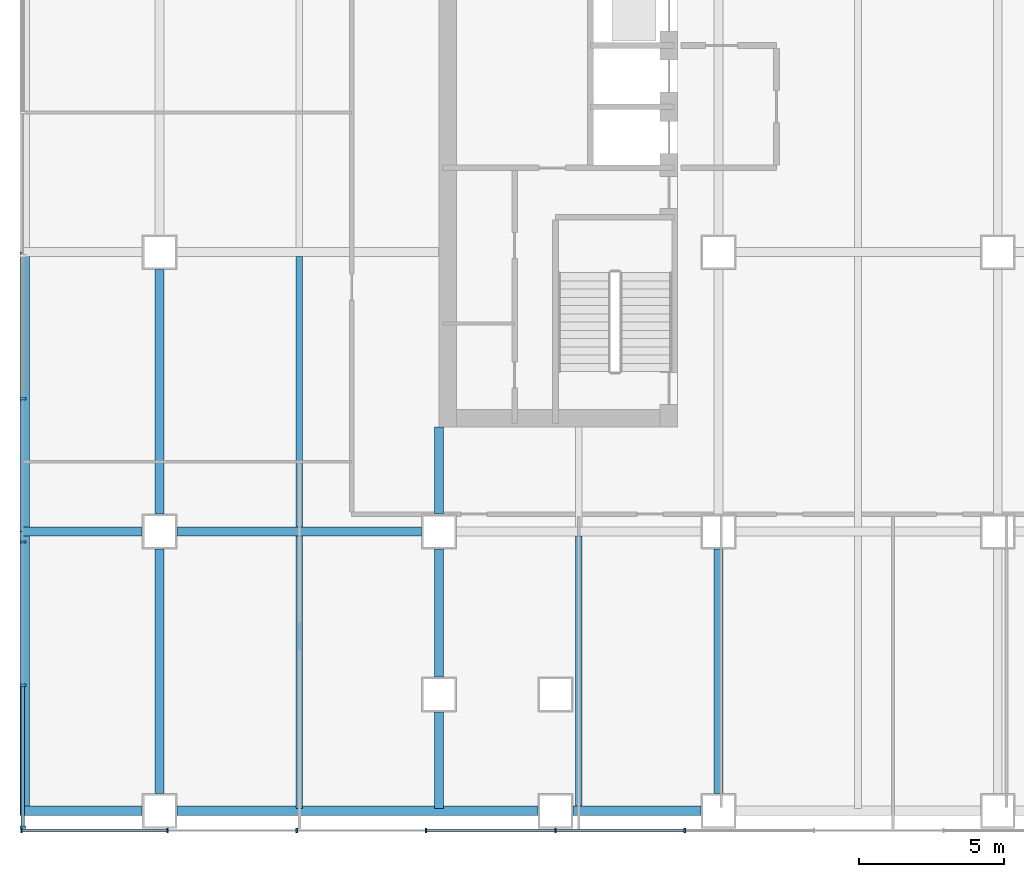
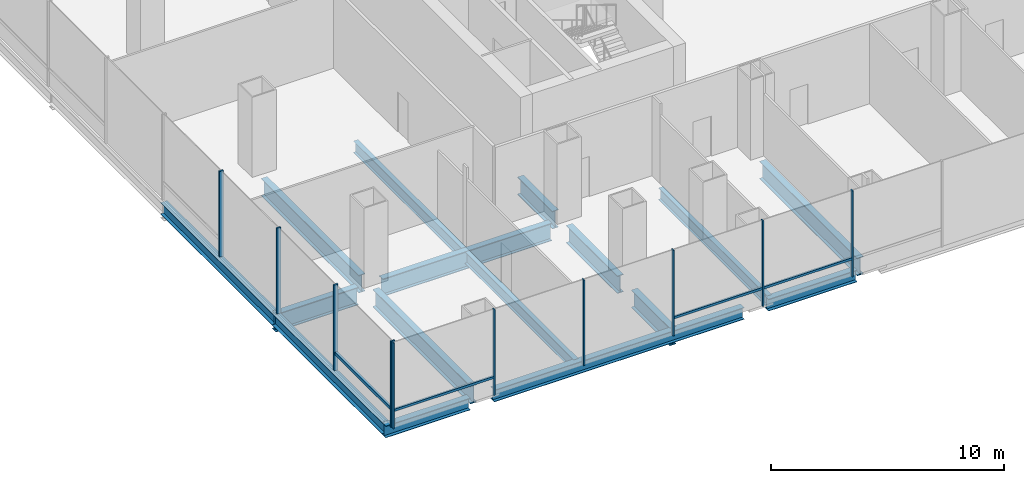
# One storey, part 2 of 23: 16 beams, 14 members, 2 elements without a shape of their own.
"""IFC4 building model written with IfcOpenShell, lengths in metres."""

from ifc_helpers import new_model, si_unit, direction, frame, origin, origin_2d, place, context, subcontext, project, spatial, rectangle, i_section, extrude, material, material_profile, profile_set, type_object, element, aggregate, save


model = new_model("IFC4")

# Units and contexts
model_context = context("Model", 3, precision=1e-05, world=origin(), true_north=direction((0.0, 1.0)))
body_context = subcontext(model_context, "Body", "Model", "MODEL_VIEW")
ifc_project = project(units=[si_unit("LENGTHUNIT", "METRE"), si_unit("AREAUNIT", "SQUARE_METRE"), si_unit("VOLUMEUNIT", "CUBIC_METRE"), si_unit("PLANEANGLEUNIT", "RADIAN"), si_unit("MASSUNIT", "GRAM", prefix="KILO")], contexts=[model_context])

# Site, building, storey
site_placement = place(None, origin())
site = spatial("IfcSite", under=ifc_project, at=site_placement, CompositionType="ELEMENT")
building_placement = place(site_placement, origin())
building = spatial("IfcBuilding", under=site, at=building_placement, Name="Cobrizo Arcos Hotel Tower", CompositionType="ELEMENT")
storey_placement = place(building_placement, frame((0.0, 0.0, 29.0)))
storey = spatial("IfcBuildingStorey", under=building, at=storey_placement, Name="L05", CompositionType="ELEMENT", Elevation=29.0)

# Curtain wall, members
ifc_material_1 = material(Name="Aluminium 6063-T6 anodised bronze", Category="aluminium")
curtain_wall_type_1 = type_object("IfcCurtainWallType", Name="CW-A guest facade", PredefinedType="NOTDEFINED", material=ifc_material_1)
curtain_wall_1_placement = place(storey_placement, origin())
curtain_wall_1 = element("IfcCurtainWall", 1, at=curtain_wall_1_placement, inside=storey, type_object=curtain_wall_type_1, Name="CW-A L05 S face", PredefinedType="NOTDEFINED")
ifc_material_profile_1 = material_profile(ifc_material_1, rectangle(XDim=0.14990234375, YDim=0.06005859375, at=origin_2d()), Name="CW-A mullion 150x60")
ifc_profile_set_1 = profile_set([ifc_material_profile_1], Name="Aluminium 6063-T6 anodised bronze")
member_type_1 = type_object("IfcMemberType", Name="CW-A mullion 150x60", PredefinedType="MULLION", material=ifc_profile_set_1)
member_1_placement = place(storey_placement, frame((-38.344970703125, -24.675048828125, 0.0), z_axis=(0.0, 0.0, 1.0), x_axis=(0.0, -1.0, 0.0)))
member_1 = element("IfcMember", 2, at=member_1_placement, type_object=member_type_1, Name="CW-A mullion 1", PredefinedType="MULLION", context=body_context, shape_type="SweptSolid", body=[
    extrude(rectangle(XDim=0.14990234375, YDim=0.06005859375, at=origin_2d()), origin(), (0.0, 0.0, 1.0), 4.5),
])
member_2_placement = place(storey_placement, frame((-33.333251953125, -24.675048828125, 0.0), z_axis=(0.0, 0.0, 1.0), x_axis=(0.0, -1.0, 0.0)))
member_2 = element("IfcMember", 3, at=member_2_placement, type_object=member_type_1, Name="CW-A mullion 2", PredefinedType="MULLION", context=body_context, shape_type="SweptSolid", body=[
    extrude(rectangle(XDim=0.14990234375, YDim=0.06005859375, at=origin_2d()), origin(), (0.0, 0.0, 1.0), 4.5),
])
member_3_placement = place(storey_placement, frame((-28.888916015625, -24.675048828125, 0.0), z_axis=(0.0, 0.0, 1.0), x_axis=(0.0, -1.0, 0.0)))
member_3 = element("IfcMember", 4, at=member_3_placement, type_object=member_type_1, Name="CW-A mullion 3", PredefinedType="MULLION", context=body_context, shape_type="SweptSolid", body=[
    extrude(rectangle(XDim=0.14990234375, YDim=0.06005859375, at=origin_2d()), origin(), (0.0, 0.0, 1.0), 4.5),
])
member_4_placement = place(storey_placement, frame((-24.4443359375, -24.675048828125, 0.0), z_axis=(0.0, 0.0, 1.0), x_axis=(0.0, -1.0, 0.0)))
member_4 = element("IfcMember", 5, at=member_4_placement, type_object=member_type_1, Name="CW-A mullion 4", PredefinedType="MULLION", context=body_context, shape_type="SweptSolid", body=[
    extrude(rectangle(XDim=0.14990234375, YDim=0.06005859375, at=origin_2d()), origin(), (0.0, 0.0, 1.0), 4.5),
])
member_5_placement = place(storey_placement, frame((-20.0, -24.675048828125, 0.0), z_axis=(0.0, 0.0, 1.0), x_axis=(0.0, -1.0, 0.0)))
member_5 = element("IfcMember", 6, at=member_5_placement, type_object=member_type_1, Name="CW-A mullion 5", PredefinedType="MULLION", context=body_context, shape_type="SweptSolid", body=[
    extrude(rectangle(XDim=0.14990234375, YDim=0.06005859375, at=origin_2d()), origin(), (0.0, 0.0, 1.0), 4.5),
])
member_6_placement = place(storey_placement, frame((-15.5556640625, -24.675048828125, 0.0), z_axis=(0.0, 0.0, 1.0), x_axis=(0.0, -1.0, 0.0)))
member_6 = element("IfcMember", 7, at=member_6_placement, type_object=member_type_1, Name="CW-A mullion 6", PredefinedType="MULLION", context=body_context, shape_type="SweptSolid", body=[
    extrude(rectangle(XDim=0.14990234375, YDim=0.06005859375, at=origin_2d()), origin(), (0.0, 0.0, 1.0), 4.5),
])
ifc_material_profile_2 = material_profile(ifc_material_1, rectangle(XDim=0.10009765625, YDim=0.1201171875, at=origin_2d()), Name="CW-A transom 120x100")
ifc_profile_set_2 = profile_set([ifc_material_profile_2], Name="Aluminium 6063-T6 anodised bronze")
member_type_2 = type_object("IfcMemberType", Name="CW-A transom 120x100", PredefinedType="USERDEFINED", material=ifc_profile_set_2)
member_7_placement = place(storey_placement, frame((-38.31494140625, -24.675048828125, 0.929931640625), z_axis=(1.0, 0.0, 0.0), x_axis=(0.0, 1.0, 0.0)))
member_7 = element("IfcMember", 8, at=member_7_placement, type_object=member_type_2, Name="CW-A transom 306", ObjectType="TRANSOM", PredefinedType="USERDEFINED", context=body_context, shape_type="SweptSolid", body=[
    extrude(rectangle(XDim=0.10009765625, YDim=0.1201171875, at=origin_2d()), origin(), (0.0, 0.0, 1.0), 4.95166015625),
])
member_8_placement = place(storey_placement, frame((-24.41455078125, -24.675048828125, 0.929931640625), z_axis=(1.0, 0.0, 0.0), x_axis=(0.0, 1.0, 0.0)))
member_8 = element("IfcMember", 9, at=member_8_placement, type_object=member_type_2, Name="CW-A transom 309", ObjectType="TRANSOM", PredefinedType="USERDEFINED", context=body_context, shape_type="SweptSolid", body=[
    extrude(rectangle(XDim=0.10009765625, YDim=0.1201171875, at=origin_2d()), origin(), (0.0, 0.0, 1.0), 4.384521484375),
])
member_9_placement = place(storey_placement, frame((-19.969970703125, -24.675048828125, 0.929931640625), z_axis=(1.0, 0.0, 0.0), x_axis=(0.0, 1.0, 0.0)))
member_9 = element("IfcMember", 10, at=member_9_placement, type_object=member_type_2, Name="CW-A transom 310", ObjectType="TRANSOM", PredefinedType="USERDEFINED", context=body_context, shape_type="SweptSolid", body=[
    extrude(rectangle(XDim=0.10009765625, YDim=0.1201171875, at=origin_2d()), origin(), (0.0, 0.0, 1.0), 4.384521484375),
])
aggregate(curtain_wall_1, [member_1, member_2, member_3, member_4, member_5, member_6, member_7, member_8, member_9])

curtain_wall_type_2 = type_object("IfcCurtainWallType", Name="CW-B podium glazing", PredefinedType="NOTDEFINED", material=ifc_material_1)
curtain_wall_2_placement = place(storey_placement, origin())
curtain_wall_2 = element("IfcCurtainWall", 11, at=curtain_wall_2_placement, inside=storey, type_object=curtain_wall_type_2, Name="CW-B L05 W face", PredefinedType="NOTDEFINED")
ifc_material_profile_3 = material_profile(ifc_material_1, rectangle(XDim=0.199951171875, YDim=0.080078125, at=origin_2d()), Name="CW-B mullion 200x80")
ifc_profile_set_3 = profile_set([ifc_material_profile_3], Name="Aluminium 6063-T6 anodised bronze")
member_type_3 = type_object("IfcMemberType", Name="CW-B mullion 200x80", PredefinedType="MULLION", material=ifc_profile_set_3)
member_10_placement = place(storey_placement, frame((-38.300048828125, -9.840087890625, 0.0), z_axis=(0.0, 0.0, 1.0), x_axis=(-1.0, 0.0, 0.0)))
member_10 = element("IfcMember", 12, at=member_10_placement, type_object=member_type_3, Name="CW-B mullion 8", PredefinedType="MULLION", context=body_context, shape_type="SweptSolid", body=[
    extrude(rectangle(XDim=0.199951171875, YDim=0.080078125, at=origin_2d()), origin(), (0.0, 0.0, 1.0), 4.5),
])
member_11_placement = place(storey_placement, frame((-38.300048828125, -14.760009765625, 0.0), z_axis=(0.0, 0.0, 1.0), x_axis=(-1.0, 0.0, 0.0)))
member_11 = element("IfcMember", 13, at=member_11_placement, type_object=member_type_3, Name="CW-B mullion 9", PredefinedType="MULLION", context=body_context, shape_type="SweptSolid", body=[
    extrude(rectangle(XDim=0.199951171875, YDim=0.080078125, at=origin_2d()), origin(), (0.0, 0.0, 1.0), 4.5),
])
member_12_placement = place(storey_placement, frame((-38.300048828125, -19.679931640625, 0.0), z_axis=(0.0, 0.0, 1.0), x_axis=(-1.0, 0.0, 0.0)))
member_12 = element("IfcMember", 14, at=member_12_placement, type_object=member_type_3, Name="CW-B mullion 10", PredefinedType="MULLION", context=body_context, shape_type="SweptSolid", body=[
    extrude(rectangle(XDim=0.199951171875, YDim=0.080078125, at=origin_2d()), origin(), (0.0, 0.0, 1.0), 4.5),
])
member_13_placement = place(storey_placement, frame((-38.300048828125, -24.56005859375, 0.0), z_axis=(0.0, 0.0, 1.0), x_axis=(-1.0, 0.0, 0.0)))
member_13 = element("IfcMember", 15, at=member_13_placement, type_object=member_type_3, Name="CW-B mullion 11", PredefinedType="MULLION", context=body_context, shape_type="SweptSolid", body=[
    extrude(rectangle(XDim=0.199951171875, YDim=0.080078125, at=origin_2d()), origin(), (0.0, 0.0, 1.0), 4.5),
])
ifc_material_profile_4 = material_profile(ifc_material_1, rectangle(XDim=0.1201171875, YDim=0.159912109375, at=origin_2d()), Name="CW-B transom 160x120")
ifc_profile_set_4 = profile_set([ifc_material_profile_4], Name="Aluminium 6063-T6 anodised bronze")
member_type_4 = type_object("IfcMemberType", Name="CW-B transom 160x120", PredefinedType="USERDEFINED", material=ifc_profile_set_4)
member_14_placement = place(storey_placement, frame((-38.300048828125, -19.719970703125, 0.89990234375), z_axis=(0.0, -1.0, 0.0), x_axis=(1.0, 0.0, 0.0)))
member_14 = element("IfcMember", 16, at=member_14_placement, type_object=member_type_4, Name="CW-B transom 305", ObjectType="TRANSOM", PredefinedType="USERDEFINED", context=body_context, shape_type="SweptSolid", body=[
    extrude(rectangle(XDim=0.1201171875, YDim=0.159912109375, at=origin_2d()), origin(), (0.0, 0.0, 1.0), 4.800048828125),
])
aggregate(curtain_wall_2, [member_10, member_11, member_12, member_13, member_14])

# Beams
ifc_material_2 = material(Name="Steel ASTM A992 Grade 50", Category="steel")
ifc_material_profile_5 = material_profile(ifc_material_2, i_section(OverallWidth=0.32763671875, OverallDepth=0.622314453125, WebThickness=0.015380859375, FlangeThickness=0.0244140625, at=origin_2d()), Name="W24X131")
ifc_profile_set_5 = profile_set([ifc_material_profile_5], Name="Steel ASTM A992 Grade 50")
beam_type_1 = type_object("IfcBeamType", Name="W24X131 edge beam", PredefinedType="BEAM", material=ifc_profile_set_5)
beam_1_placement = place(storey_placement, frame((-38.236083984375, -4.800048828125, -0.51123046875), z_axis=(0.0, -1.0, 0.0), x_axis=(1.0, 0.0, 0.0)))
element("IfcBeam", 17, at=beam_1_placement, inside=storey, type_object=beam_type_1, Name="Edge beam EB1, L05, no. 011", PredefinedType="BEAM", context=body_context, shape_type="SweptSolid", body=[
    extrude(i_section(OverallWidth=0.32763671875, OverallDepth=0.622314453125, WebThickness=0.015380859375, FlangeThickness=0.0244140625, at=origin_2d()), origin(), (0.0, 0.0, 1.0), 9.599853515625),
])
beam_2_placement = place(storey_placement, frame((-38.236083984375, -14.39990234375, -0.51123046875), z_axis=(0.0, -1.0, 0.0), x_axis=(1.0, 0.0, 0.0)))
element("IfcBeam", 18, at=beam_2_placement, inside=storey, type_object=beam_type_1, Name="Edge beam EB1, L05, no. 012", PredefinedType="BEAM", context=body_context, shape_type="SweptSolid", body=[
    extrude(i_section(OverallWidth=0.32763671875, OverallDepth=0.622314453125, WebThickness=0.015380859375, FlangeThickness=0.0244140625, at=origin_2d()), origin(), (0.0, 0.0, 1.0), 9.60009765625),
])
beam_3_placement = place(storey_placement, frame((-38.39990234375, -24.0, -0.51123046875), z_axis=(1.0, 0.0, 0.0), x_axis=(0.0, 1.0, 0.0)))
element("IfcBeam", 19, at=beam_3_placement, inside=storey, type_object=beam_type_1, Name="Edge beam EB1, L05, no. 013", PredefinedType="BEAM", context=body_context, shape_type="SweptSolid", body=[
    extrude(i_section(OverallWidth=0.32763671875, OverallDepth=0.622314453125, WebThickness=0.015380859375, FlangeThickness=0.0244140625, at=origin_2d()), origin(), (0.0, 0.0, 1.0), 4.199951171875),
])
ifc_material_profile_6 = material_profile(ifc_material_2, i_section(OverallWidth=0.32763671875, OverallDepth=0.622314453125, WebThickness=0.015380859375, FlangeThickness=0.0244140625, at=origin_2d()), Name="W24X131")
ifc_profile_set_6 = profile_set([ifc_material_profile_6], Name="Steel ASTM A992 Grade 50")
beam_type_2 = type_object("IfcBeamType", Name="W24X131 spandrel", PredefinedType="SPANDREL", material=ifc_profile_set_6)
beam_4_placement = place(storey_placement, frame((-33.0, -24.0, -0.51123046875), z_axis=(1.0, 0.0, 0.0), x_axis=(0.0, 1.0, 0.0)))
element("IfcBeam", 20, at=beam_4_placement, inside=storey, type_object=beam_type_2, Name="Spandrel beam W24X131, L05, no. 008", PredefinedType="SPANDREL", context=body_context, shape_type="SweptSolid", body=[
    extrude(i_section(OverallWidth=0.32763671875, OverallDepth=0.622314453125, WebThickness=0.015380859375, FlangeThickness=0.0244140625, at=origin_2d()), origin(), (0.0, 0.0, 1.0), 12.39990234375),
])
beam_5_placement = place(storey_placement, frame((-19.39990234375, -24.0, -0.51123046875), z_axis=(1.0, 0.0, 0.0), x_axis=(0.0, 1.0, 0.0)))
element("IfcBeam", 21, at=beam_5_placement, inside=storey, type_object=beam_type_2, Name="Spandrel beam W24X131, L05, no. 009", PredefinedType="SPANDREL", context=body_context, shape_type="SweptSolid", body=[
    extrude(i_section(OverallWidth=0.32763671875, OverallDepth=0.622314453125, WebThickness=0.015380859375, FlangeThickness=0.0244140625, at=origin_2d()), origin(), (0.0, 0.0, 1.0), 4.39990234375),
])
ifc_material_profile_7 = material_profile(ifc_material_2, i_section(OverallWidth=0.23046875, OverallDepth=0.6171875, WebThickness=0.01318359375, FlangeThickness=0.022216796875, at=origin_2d()), Name="W24X94")
ifc_profile_set_7 = profile_set([ifc_material_profile_7], Name="Steel ASTM A992 Grade 50")
beam_type_3 = type_object("IfcBeamType", Name="W24X94 podium joist", PredefinedType="JOIST", material=ifc_profile_set_7)
beam_6_placement = place(storey_placement, frame((-28.800048828125, -23.909912109375, -0.508544921875), z_axis=(0.0, 1.0, 0.0), x_axis=(-1.0, 0.0, 0.0)))
element("IfcBeam", 22, at=beam_6_placement, inside=storey, type_object=beam_type_3, Name="Podium joist PJ1, L05, no. 001", PredefinedType="JOIST", context=body_context, shape_type="SweptSolid", body=[
    extrude(i_section(OverallWidth=0.23046875, OverallDepth=0.6171875, WebThickness=0.01318359375, FlangeThickness=0.022216796875, at=origin_2d()), origin(), (0.0, 0.0, 1.0), 9.356201171875),
])
beam_7_placement = place(storey_placement, frame((-28.800048828125, -14.246337890625, -0.508544921875), z_axis=(0.0, 1.0, 0.0), x_axis=(-1.0, 0.0, 0.0)))
element("IfcBeam", 23, at=beam_7_placement, inside=storey, type_object=beam_type_3, Name="Podium joist PJ1, L05, no. 002", PredefinedType="JOIST", context=body_context, shape_type="SweptSolid", body=[
    extrude(i_section(OverallWidth=0.23046875, OverallDepth=0.6171875, WebThickness=0.01318359375, FlangeThickness=0.022216796875, at=origin_2d()), origin(), (0.0, 0.0, 1.0), 9.292724609375),
])
beam_8_placement = place(storey_placement, frame((-19.199951171875, -23.909912109375, -0.508544921875), z_axis=(0.0, 1.0, 0.0), x_axis=(-1.0, 0.0, 0.0)))
element("IfcBeam", 24, at=beam_8_placement, inside=storey, type_object=beam_type_3, Name="Podium joist PJ1, L05, no. 006", PredefinedType="JOIST", context=body_context, shape_type="SweptSolid", body=[
    extrude(i_section(OverallWidth=0.23046875, OverallDepth=0.6171875, WebThickness=0.01318359375, FlangeThickness=0.022216796875, at=origin_2d()), origin(), (0.0, 0.0, 1.0), 9.356201171875),
])
ifc_material_profile_8 = material_profile(ifc_material_2, i_section(OverallWidth=0.307373046875, OverallDepth=0.927001953125, WebThickness=0.01953125, FlangeThickness=0.031982421875, at=origin_2d()), Name="W36X194")
ifc_profile_set_8 = profile_set([ifc_material_profile_8], Name="Steel ASTM A992 Grade 50")
beam_type_4 = type_object("IfcBeamType", Name="W36X194 podium girder", PredefinedType="BEAM", material=ifc_profile_set_8)
beam_9_placement = place(storey_placement, frame((-38.31005859375, -14.39990234375, -0.66357421875), z_axis=(1.0, 0.0, 0.0), x_axis=(0.0, 1.0, 0.0)))
element("IfcBeam", 25, at=beam_9_placement, inside=storey, type_object=beam_type_4, Name="Podium girder PG1, L05, no. 001", PredefinedType="BEAM", context=body_context, shape_type="SweptSolid", body=[
    extrude(i_section(OverallWidth=0.307373046875, OverallDepth=0.927001953125, WebThickness=0.01953125, FlangeThickness=0.031982421875, at=origin_2d()), origin(), (0.0, 0.0, 1.0), 4.110107421875),
])
for number, where, z_axis, x_axis, name in (
    (26, (-33.0, -14.39990234375, -0.66357421875), (1.0, 0.0, 0.0), (0.0, 1.0, 0.0), "Podium girder PG1, L05, no. 002"),
    (27, (-33.60009765625, -23.39990234375, -0.66357421875), (0.0, 1.0, 0.0), (-1.0, 0.0, 0.0), "Podium girder PG1, L05, no. 035"),
):
    element("IfcBeam", number, at=place(storey_placement, frame(where, z_axis=z_axis, x_axis=x_axis)), inside=storey, type_object=beam_type_4, Name=name, PredefinedType="BEAM", context=body_context, shape_type="SweptSolid", body=[
        extrude(i_section(OverallWidth=0.307373046875, OverallDepth=0.927001953125, WebThickness=0.01953125, FlangeThickness=0.031982421875, at=origin_2d()), origin(), (0.0, 0.0, 1.0), 8.39990234375),
    ])
beam_10_placement = place(storey_placement, frame((-33.60009765625, -13.800048828125, -0.66357421875), z_axis=(0.0, 1.0, 0.0), x_axis=(-1.0, 0.0, 0.0)))
element("IfcBeam", 28, at=beam_10_placement, inside=storey, type_object=beam_type_4, Name="Podium girder PG1, L05, no. 036", PredefinedType="BEAM", context=body_context, shape_type="SweptSolid", body=[
    extrude(i_section(OverallWidth=0.307373046875, OverallDepth=0.927001953125, WebThickness=0.01953125, FlangeThickness=0.031982421875, at=origin_2d()), origin(), (0.0, 0.0, 1.0), 8.400146484375),
])
beam_11_placement = place(storey_placement, frame((-24.0, -23.909912109375, -0.66357421875), z_axis=(0.0, 1.0, 0.0), x_axis=(-1.0, 0.0, 0.0)))
element("IfcBeam", 29, at=beam_11_placement, inside=storey, type_object=beam_type_4, Name="Podium girder PG1, L05, no. 040", PredefinedType="BEAM", context=body_context, shape_type="SweptSolid", body=[
    extrude(i_section(OverallWidth=0.307373046875, OverallDepth=0.927001953125, WebThickness=0.01953125, FlangeThickness=0.031982421875, at=origin_2d()), origin(), (0.0, 0.0, 1.0), 3.309814453125),
])
beam_12_placement = place(storey_placement, frame((-24.0, -19.39990234375, -0.66357421875), z_axis=(0.0, 1.0, 0.0), x_axis=(-1.0, 0.0, 0.0)))
element("IfcBeam", 30, at=beam_12_placement, inside=storey, type_object=beam_type_4, Name="Podium girder PG1, L05, no. 041", PredefinedType="BEAM", context=body_context, shape_type="SweptSolid", body=[
    extrude(i_section(OverallWidth=0.307373046875, OverallDepth=0.927001953125, WebThickness=0.01953125, FlangeThickness=0.031982421875, at=origin_2d()), origin(), (0.0, 0.0, 1.0), 4.39990234375),
])
beam_13_placement = place(storey_placement, frame((-24.0, -13.800048828125, -0.66357421875), z_axis=(0.0, 1.0, 0.0), x_axis=(-1.0, 0.0, 0.0)))
element("IfcBeam", 31, at=beam_13_placement, inside=storey, type_object=beam_type_4, Name="Podium girder PG1, L05, no. 042", PredefinedType="BEAM", context=body_context, shape_type="SweptSolid", body=[
    extrude(i_section(OverallWidth=0.307373046875, OverallDepth=0.927001953125, WebThickness=0.01953125, FlangeThickness=0.031982421875, at=origin_2d()), origin(), (0.0, 0.0, 1.0), 2.989990234375),
])
beam_14_placement = place(storey_placement, frame((-14.39990234375, -23.39990234375, -0.66357421875), z_axis=(0.0, 1.0, 0.0), x_axis=(-1.0, 0.0, 0.0)))
element("IfcBeam", 32, at=beam_14_placement, inside=storey, type_object=beam_type_4, Name="Podium girder PG1, L05, no. 046", PredefinedType="BEAM", context=body_context, shape_type="SweptSolid", body=[
    extrude(i_section(OverallWidth=0.307373046875, OverallDepth=0.927001953125, WebThickness=0.01953125, FlangeThickness=0.031982421875, at=origin_2d()), origin(), (0.0, 0.0, 1.0), 8.39990234375),
])

save(model, "model.ifc")
